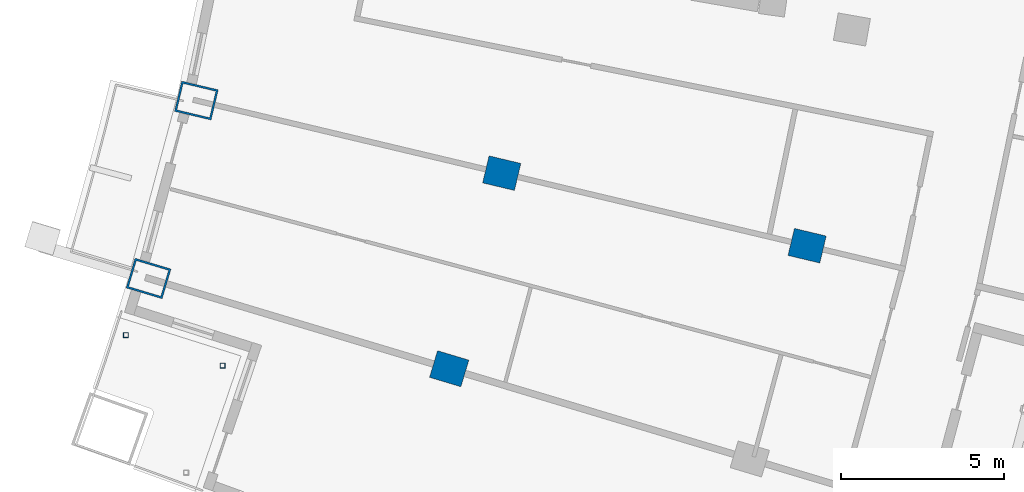
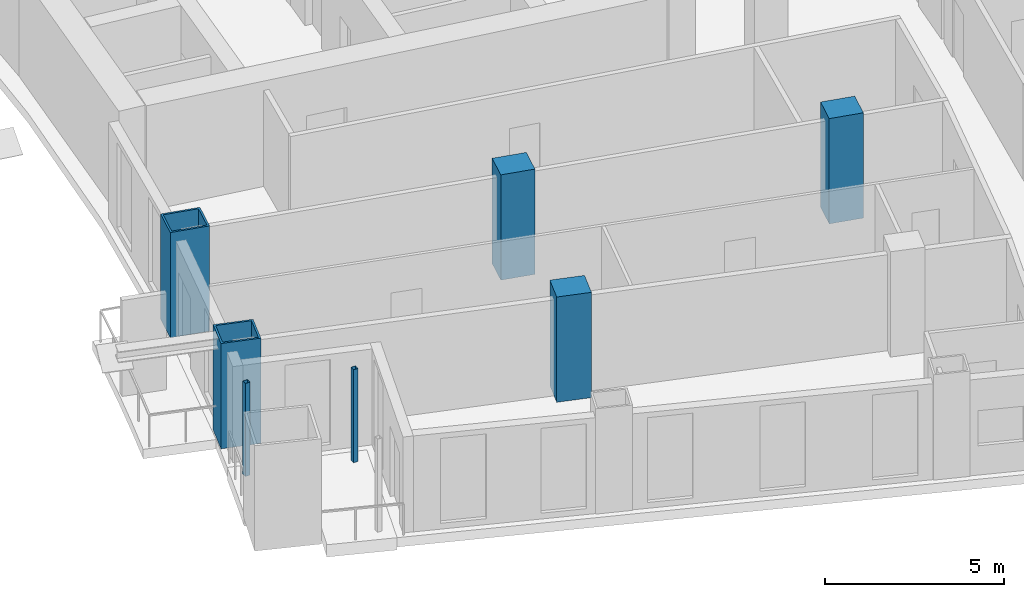
# One storey, part 3 of 25: 7 columns.
"""IFC4 building model written with IfcOpenShell, lengths in metres."""

from ifc_helpers import new_model, si_unit, direction, frame, origin, origin_2d, place, context, subcontext, project, spatial, rectangle, hollow_rectangle, extrude, material, material_profile, profile_set, type_object, element, save


model = new_model("IFC4")

# Units and contexts
model_context = context("Model", 3, precision=1e-05, world=origin(), true_north=direction((0.0, 1.0)))
body_context = subcontext(model_context, "Body", "Model", "MODEL_VIEW")
ifc_project = project(units=[si_unit("LENGTHUNIT", "METRE"), si_unit("AREAUNIT", "SQUARE_METRE"), si_unit("VOLUMEUNIT", "CUBIC_METRE"), si_unit("PLANEANGLEUNIT", "RADIAN"), si_unit("MASSUNIT", "GRAM", prefix="KILO")], contexts=[model_context])

# Site, building, storey
site_placement = place(None, origin())
site = spatial("IfcSite", under=ifc_project, at=site_placement, CompositionType="ELEMENT")
building_placement = place(site_placement, origin())
building = spatial("IfcBuilding", under=site, at=building_placement, Name="Alderwake Tower", CompositionType="ELEMENT")
storey_placement = place(building_placement, frame((0.0, 0.0, 111.199951171875)))
storey = spatial("IfcBuildingStorey", under=building, at=storey_placement, Name="L27", CompositionType="ELEMENT", Elevation=111.199951171875)

# Columns
ifc_material_1 = material(Name="Concrete C70/85", Category="concrete")
ifc_material_profile_1 = material_profile(ifc_material_1, rectangle(XDim=0.85009765625, YDim=1.0, at=origin_2d()), Name="RC 1000X850")
ifc_profile_set_1 = profile_set([ifc_material_profile_1], Name="Concrete C70/85")
column_type_1 = type_object("IfcColumnType", Name="Interior column Z2", PredefinedType="COLUMN", material=ifc_profile_set_1)
for number, where, z_axis, x_axis, name in (
    (1, (21.714599609375, 30.46240234375, 0.0), (0.0, 0.0, 1.0), (0.287549418125, 0.957765802342, 0.0), "Column R02-C1"),
    (2, (23.322021484375, 36.444091796875, 0.0), (0.0, 0.0, 1.0), (0.231221547198, 0.972901123502, 0.0), "Column R03-C1"),
    (3, (32.661865234375, 34.224609375, 0.0), (0.0, 0.0, 1.0), (0.231221547198, 0.972901123502, 0.0), "Column R03-C2"),
):
    element("IfcColumn", number, at=place(storey_placement, frame(where, z_axis=z_axis, x_axis=x_axis)), inside=storey, type_object=column_type_1, Name=name, PredefinedType="COLUMN", context=body_context, shape_type="SweptSolid", body=[
        extrude(rectangle(XDim=0.85009765625, YDim=1.0, at=origin_2d()), origin(), (0.0, 0.0, 1.0), 3.60009765625),
    ])
ifc_material_2 = material(Name="Steel ASTM A500 Grade C", Category="steel")
ifc_material_profile_2 = material_profile(ifc_material_2, hollow_rectangle(XDim=0.15234375, YDim=0.15234375, WallThickness=0.0087890625, at=origin_2d()), Name="HSS6X6X3/8")
ifc_profile_set_2 = profile_set([ifc_material_profile_2], Name="Steel ASTM A500 Grade C")
column_type_2 = type_object("IfcColumnType", Name="Light post HSS6X6X3/8", PredefinedType="COLUMN", material=ifc_profile_set_2)
for number, where, z_axis, x_axis, name in (
    (4, (11.82568359375, 31.492919921875, 0.0), (0.0, 0.0, 1.0), (1.0, 0.0, 0.0), "Terrace post RS1"),
    (5, (14.781494140625, 30.558349609375, 0.0), (0.0, 0.0, 1.0), (1.0, 0.0, 0.0), "Terrace post RS3"),
):
    element("IfcColumn", number, at=place(storey_placement, frame(where, z_axis=z_axis, x_axis=x_axis)), inside=storey, type_object=column_type_2, Name=name, PredefinedType="COLUMN", context=body_context, shape_type="SweptSolid", body=[
        extrude(hollow_rectangle(XDim=0.15234375, YDim=0.15234375, WallThickness=0.0087890625, at=origin_2d()), origin(), (0.0, 0.0, 1.0), 3.179931640625),
    ])
ifc_material_3 = material(Name="Steel ASTM A572 Grade 50 concrete filled C70/85", Category="concrete")
ifc_material_profile_3 = material_profile(ifc_material_3, hollow_rectangle(XDim=0.949951171875, YDim=1.14990234375, WallThickness=0.06005859375, at=origin_2d()), Name="BOX 1150X950X60")
ifc_profile_set_3 = profile_set([ifc_material_profile_3], Name="Steel ASTM A572 Grade 50 concrete filled C70/85")
column_type_3 = type_object("IfcColumnType", Name="Perimeter column Z2", PredefinedType="COLUMN", material=ifc_profile_set_3)
for number, where, z_axis, x_axis, name in (
    (6, (12.520263671875, 33.222900390625, 0.0), (0.0, 0.0, 1.0), (0.287549418125, 0.957765802342, 0.0), "Column R02-C0"),
    (7, (13.982177734375, 38.6640625, 0.0), (0.0, 0.0, 1.0), (0.231221547198, 0.972901123502, 0.0), "Column R03-C0"),
):
    element("IfcColumn", number, at=place(storey_placement, frame(where, z_axis=z_axis, x_axis=x_axis)), inside=storey, type_object=column_type_3, Name=name, PredefinedType="COLUMN", context=body_context, shape_type="SweptSolid", body=[
        extrude(hollow_rectangle(XDim=0.949951171875, YDim=1.14990234375, WallThickness=0.06005859375, at=origin_2d()), origin(), (0.0, 0.0, 1.0), 3.60009765625),
    ])

save(model, "model.ifc")
